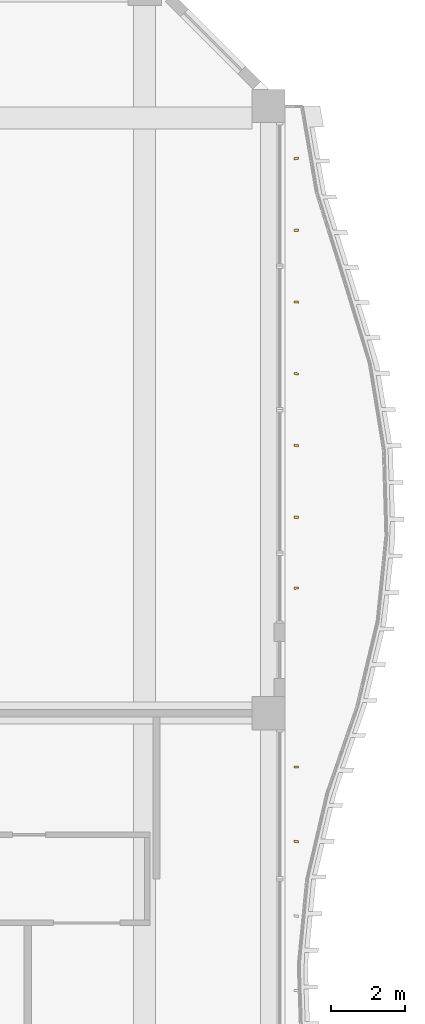
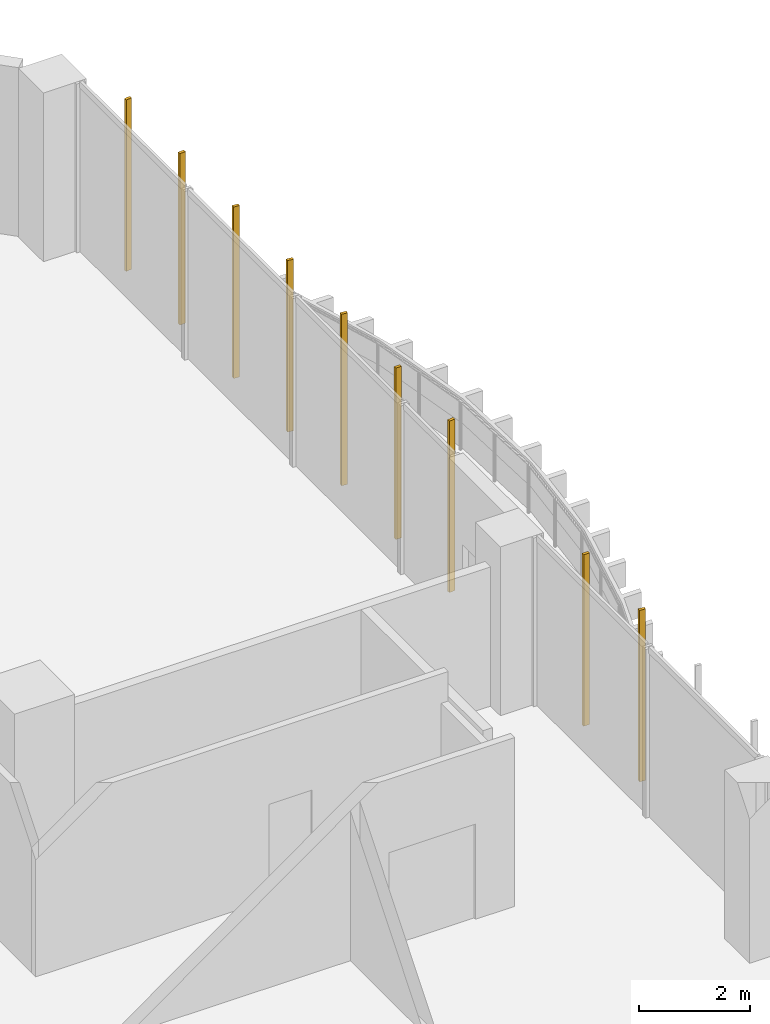
# One storey, part 25 of 25: 9 shading devices.
"""IFC4 building model written with IfcOpenShell, lengths in metres."""

from ifc_helpers import new_model, si_unit, direction, frame, origin, origin_2d, place, context, subcontext, project, spatial, rectangle, extrude, source, transform, mapped, material, material_profile, profile_set, type_object, element, save


model = new_model("IFC4")

# Units and contexts
model_context = context("Model", 3, precision=1e-05, world=origin(), true_north=direction((0.0, 1.0)))
body_context = subcontext(model_context, "Body", "Model", "MODEL_VIEW")
ifc_project = project(units=[si_unit("LENGTHUNIT", "METRE"), si_unit("AREAUNIT", "SQUARE_METRE"), si_unit("VOLUMEUNIT", "CUBIC_METRE"), si_unit("PLANEANGLEUNIT", "RADIAN"), si_unit("MASSUNIT", "GRAM", prefix="KILO")], contexts=[model_context])

# Site, building, storey
site_placement = place(None, origin())
site = spatial("IfcSite", under=ifc_project, at=site_placement, CompositionType="ELEMENT")
building_placement = place(site_placement, origin())
building = spatial("IfcBuilding", under=site, at=building_placement, Name="Kilnfold Tower and Market Hall", CompositionType="ELEMENT")
storey_placement = place(building_placement, frame((0.0, 0.0, 67.199951171875)))
storey = spatial("IfcBuildingStorey", under=building, at=storey_placement, Name="L15", CompositionType="ELEMENT", Elevation=67.199951171875)

# Shading devices
ifc_material = material(Name="Terracotta", Category="masonry")
ifc_material_profile = material_profile(ifc_material, rectangle(XDim=0.06005859375, YDim=0.1201171875, at=origin_2d()), Name="BAG 60x120")
ifc_profile_set = profile_set([ifc_material_profile], Name="Terracotta")
shading_device_type = type_object("IfcShadingDeviceType", Name="BAGUETTE", PredefinedType="USERDEFINED", material=ifc_profile_set)
shared_shape = source(origin(), body_context, "Body", "SweptSolid", [
    extrude(rectangle(XDim=0.06005859375, YDim=0.1201171875, at=origin_2d()), origin(), (0.0, 0.0, 1.0), 3.780029296875),
])
for number, where, z_axis, x_axis, name in (
    (1, (33.300048828125, 4.512451171875, 0.0), (0.0, 0.0, 1.0), (0.103455697951, 0.994634062639, 0.0), "Terracotta baguette L15 E"),
    (2, (33.300048828125, 6.53759765625, 0.0), (0.0, 0.0, 1.0), (-0.010094812933, 0.999949046078, 0.0), "Terracotta baguette L15 E"),
    (3, (33.300048828125, 11.39990234375, 0.0), (0.0, 0.0, 1.0), (-0.108018442014, 0.99414889035, 0.0), "Terracotta baguette L15 E"),
    (4, (33.300048828125, 13.324951171875, 0.0), (0.0, 0.0, 1.0), (-0.003211400304, 0.999994843441, 0.0), "Terracotta baguette L15 E"),
    (5, (33.300048828125, 15.27490234375, 0.0), (0.0, 0.0, 1.0), (0.104903381752, 0.994482418395, 0.0), "Terracotta baguette L15 E"),
    (6, (33.300048828125, 17.22509765625, 0.0), (0.0, 0.0, 1.0), (0.137482578769, 0.990504185016, 0.0), "Terracotta baguette L15 E"),
    (7, (33.300048828125, 19.175048828125, 0.0), (0.0, 0.0, 1.0), (0.071621045026, 0.997431915425, 0.0), "Terracotta baguette L15 E"),
    (8, (33.300048828125, 21.125, 0.0), (0.0, 0.0, 1.0), (-0.046025520476, 0.998940264213, 0.0), "Terracotta baguette L15 E"),
    (9, (33.300048828125, 23.074951171875, 0.0), (0.0, 0.0, 1.0), (-0.130323732967, 0.991471494611, 0.0), "Terracotta baguette L15 E"),
):
    element("IfcShadingDevice", number, at=place(storey_placement, frame(where, z_axis=z_axis, x_axis=x_axis)), inside=storey, type_object=shading_device_type, Name=name, ObjectType="BAGUETTE", PredefinedType="USERDEFINED", context=body_context, shape_type="MappedRepresentation", body=[
        mapped(shared_shape, transform((0.0, 0.0, 0.0))),
    ])

save(model, "model.ifc")
